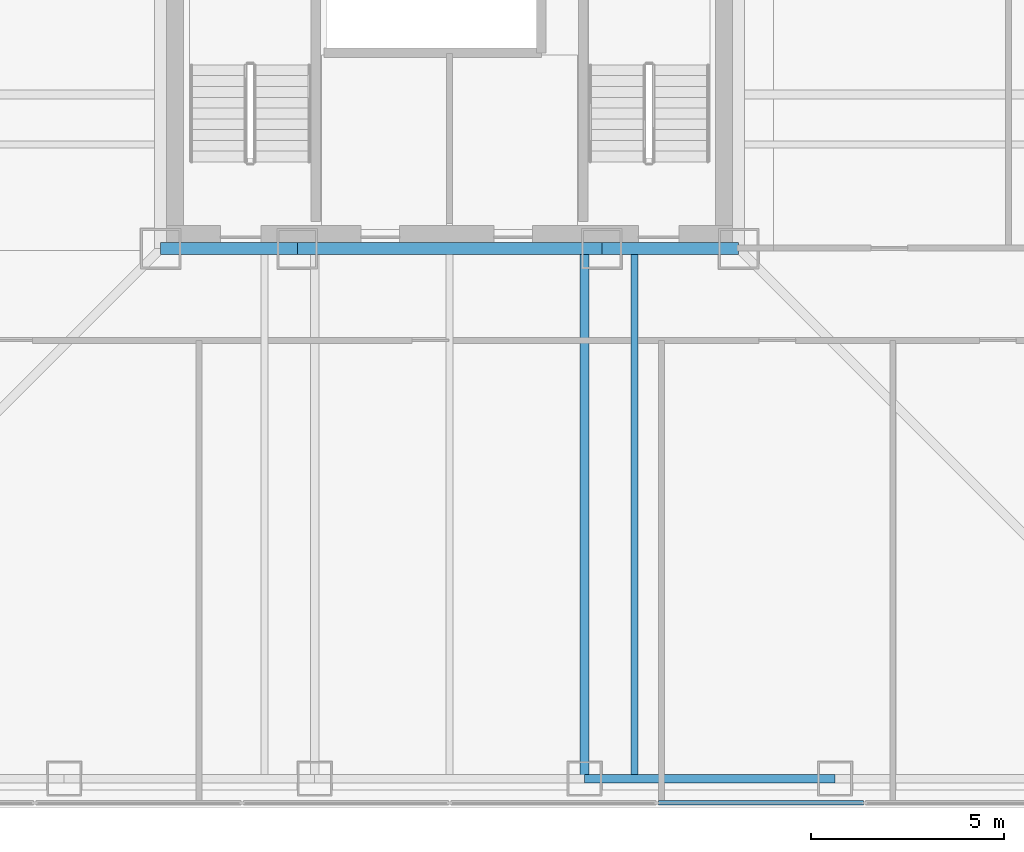
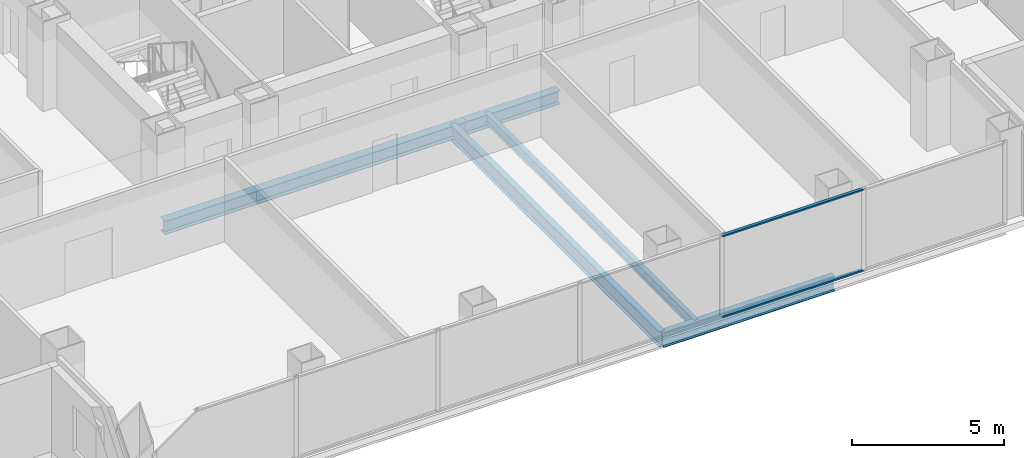
# One storey, part 3 of 14: 6 beams, 2 members, 1 element without a shape of its own.
"""IFC4 building model written with IfcOpenShell, lengths in metres."""

from ifc_helpers import new_model, si_unit, direction, frame, origin, origin_2d, place, context, subcontext, project, spatial, rectangle, i_section, extrude, material, layer, layer_set, material_profile, profile_set, type_object, element, aggregate, save


model = new_model("IFC4")

# Units and contexts
model_context = context("Model", 3, precision=1e-05, world=origin(), true_north=direction((0.0, 1.0)))
body_context = subcontext(model_context, "Body", "Model", "MODEL_VIEW")
ifc_project = project(units=[si_unit("LENGTHUNIT", "METRE"), si_unit("AREAUNIT", "SQUARE_METRE"), si_unit("VOLUMEUNIT", "CUBIC_METRE"), si_unit("PLANEANGLEUNIT", "RADIAN"), si_unit("MASSUNIT", "GRAM", prefix="KILO")], contexts=[model_context])

# Site, building, storey
site_placement = place(None, origin())
site = spatial("IfcSite", under=ifc_project, at=site_placement, CompositionType="ELEMENT")
building_placement = place(site_placement, origin())
building = spatial("IfcBuilding", under=site, at=building_placement, Name="Trevonay Congress Spire", CompositionType="ELEMENT")
storey_placement = place(building_placement, frame((0.0, 0.0, 119.199951171875)))
storey = spatial("IfcBuildingStorey", under=building, at=storey_placement, Name="L30", CompositionType="ELEMENT", Elevation=119.199951171875)

# Beams
ifc_material_1 = material(Name="Steel ASTM A572 Grade 50", Category="steel")
ifc_material_profile_1 = material_profile(ifc_material_1, i_section(OverallWidth=0.31201171875, OverallDepth=0.54296875, WebThickness=0.0126953125, FlangeThickness=0.020263671875, FilletRadius=0.014892578125, at=origin_2d()), Name="W530x150")
ifc_profile_set_1 = profile_set([ifc_material_profile_1], Name="Steel ASTM A572 Grade 50")
beam_type_1 = type_object("IfcBeamType", Name="BM-GIRD-W530X150", PredefinedType="BEAM", material=ifc_profile_set_1)
beam_1_placement = place(storey_placement, frame((-7.5, -7.5, -0.511474609375), z_axis=(1.0, 0.0, 0.0), x_axis=(0.0, 1.0, 0.0)))
element("IfcBeam", 1, at=beam_1_placement, inside=storey, type_object=beam_type_1, Name="L30 structural beam BM-L30-CR-S1", PredefinedType="BEAM", context=body_context, shape_type="SweptSolid", body=[
    extrude(i_section(OverallWidth=0.31201171875, OverallDepth=0.54296875, WebThickness=0.0126953125, FlangeThickness=0.020263671875, FilletRadius=0.014892578125, at=origin_2d()), origin(), (0.0, 0.0, 1.0), 3.550048828125),
])
beam_2_placement = place(storey_placement, frame((-3.949951171875, -7.5, -0.511474609375), z_axis=(1.0, 0.0, 0.0), x_axis=(0.0, 1.0, 0.0)))
element("IfcBeam", 2, at=beam_2_placement, inside=storey, type_object=beam_type_1, Name="L30 structural beam BM-L30-CR-S2", PredefinedType="BEAM", context=body_context, shape_type="SweptSolid", body=[
    extrude(i_section(OverallWidth=0.31201171875, OverallDepth=0.54296875, WebThickness=0.0126953125, FlangeThickness=0.020263671875, FilletRadius=0.014892578125, at=origin_2d()), origin(), (0.0, 0.0, 1.0), 7.89990234375),
])
beam_3_placement = place(storey_placement, frame((3.949951171875, -7.5, -0.511474609375), z_axis=(1.0, 0.0, 0.0), x_axis=(0.0, 1.0, 0.0)))
element("IfcBeam", 3, at=beam_3_placement, inside=storey, type_object=beam_type_1, Name="L30 structural beam BM-L30-CR-S3", PredefinedType="BEAM", context=body_context, shape_type="SweptSolid", body=[
    extrude(i_section(OverallWidth=0.31201171875, OverallDepth=0.54296875, WebThickness=0.0126953125, FlangeThickness=0.020263671875, FilletRadius=0.014892578125, at=origin_2d()), origin(), (0.0, 0.0, 1.0), 3.550048828125),
])
ifc_material_profile_2 = material_profile(ifc_material_1, i_section(OverallWidth=0.22998046875, OverallDepth=0.616943359375, WebThickness=0.01318359375, FlangeThickness=0.022216796875, FilletRadius=0.01611328125, at=origin_2d()), Name="W610x140")
ifc_profile_set_2 = profile_set([ifc_material_profile_2], Name="Steel ASTM A572 Grade 50")
beam_type_2 = type_object("IfcBeamType", Name="BM-GIRD-W610X140", PredefinedType="BEAM", material=ifc_profile_set_2)
beam_4_placement = place(storey_placement, frame((3.5, -7.5, -0.54833984375), z_axis=(0.0, -1.0, 0.0), x_axis=(1.0, 0.0, 0.0)))
element("IfcBeam", 4, at=beam_4_placement, inside=storey, type_object=beam_type_2, Name="L30 structural beam BM-L30-GS-P", PredefinedType="BEAM", context=body_context, shape_type="SweptSolid", body=[
    extrude(i_section(OverallWidth=0.22998046875, OverallDepth=0.616943359375, WebThickness=0.01318359375, FlangeThickness=0.022216796875, FilletRadius=0.01611328125, at=origin_2d()), origin(), (0.0, 0.0, 1.0), 13.75),
])
ifc_material_profile_3 = material_profile(ifc_material_1, i_section(OverallWidth=0.22802734375, OverallDepth=0.60791015625, WebThickness=0.01123046875, FlangeThickness=0.017333984375, FilletRadius=0.01611328125, at=origin_2d()), Name="W610x113")
ifc_profile_set_3 = profile_set([ifc_material_profile_3], Name="Steel ASTM A572 Grade 50")
beam_type_3 = type_object("IfcBeamType", Name="BM-RING-W610X113", PredefinedType="BEAM", material=ifc_profile_set_3)
beam_5_placement = place(storey_placement, frame((3.5, -21.25, -0.5439453125), z_axis=(1.0, 0.0, 0.0), x_axis=(0.0, 1.0, 0.0)))
element("IfcBeam", 5, at=beam_5_placement, inside=storey, type_object=beam_type_3, Name="L30 structural beam BM-L30-PS4", PredefinedType="BEAM", context=body_context, shape_type="SweptSolid", body=[
    extrude(i_section(OverallWidth=0.22802734375, OverallDepth=0.60791015625, WebThickness=0.01123046875, FlangeThickness=0.017333984375, FilletRadius=0.01611328125, at=origin_2d()), origin(), (0.0, 0.0, 1.0), 6.5),
])

# Curtain wall, members
ifc_material_2 = material(Name="Pale Anodised Aluminium EN AW-6063-T6", Category="aluminium")
ifc_layer = layer(ifc_material_2, 0.175048828125, Name="Pale Anodised Aluminium EN AW-6063-T6")
ifc_layer_set = layer_set([ifc_layer], Name="Pale Anodised Aluminium EN AW-6063-T6")
curtain_wall_type = type_object("IfcCurtainWallType", Name="CW-SYS03-CONGRESS-PALE-METAL", PredefinedType="NOTDEFINED", material=ifc_layer_set)
curtain_wall_placement = place(storey_placement, origin())
curtain_wall = element("IfcCurtainWall", 6, at=curtain_wall_placement, inside=storey, type_object=curtain_wall_type, Name="L30 S unitised curtain wall", PredefinedType="NOTDEFINED")
ifc_material_profile_4 = material_profile(ifc_material_2, rectangle(XDim=0.1201171875, YDim=0.06005859375, at=origin_2d()), Name="CW-TRANSOM-120-ALUMINIUM")
ifc_profile_set_4 = profile_set([ifc_material_profile_4], Name="Pale Anodised Aluminium EN AW-6063-T6")
member_type = type_object("IfcMemberType", Name="CW-TRANSOM-120-ALUMINIUM", PredefinedType="USERDEFINED", material=ifc_profile_set_4)
member_1_placement = place(storey_placement, frame((5.413330078125, -21.8798828125, 0.06005859375), z_axis=(1.0, 0.0, 0.0), x_axis=(0.0, 1.0, 0.0)))
member_1 = element("IfcMember", 7, at=member_1_placement, type_object=member_type, Name="CW03 transom 5.1", ObjectType="TRANSOM", PredefinedType="USERDEFINED", context=body_context, shape_type="SweptSolid", body=[
    extrude(rectangle(XDim=0.1201171875, YDim=0.06005859375, at=origin_2d()), origin(), (0.0, 0.0, 1.0), 5.3232421875),
])
member_2_placement = place(storey_placement, frame((5.413330078125, -21.8798828125, 3.300048828125), z_axis=(1.0, 0.0, 0.0), x_axis=(0.0, 1.0, 0.0)))
member_2 = element("IfcMember", 8, at=member_2_placement, type_object=member_type, Name="CW03 transom 5.2", ObjectType="TRANSOM", PredefinedType="USERDEFINED", context=body_context, shape_type="SweptSolid", body=[
    extrude(rectangle(XDim=0.1201171875, YDim=0.06005859375, at=origin_2d()), origin(), (0.0, 0.0, 1.0), 5.3232421875),
])
aggregate(curtain_wall, [member_1, member_2])

# Beam
ifc_material_profile_5 = material_profile(ifc_material_1, i_section(OverallWidth=0.177978515625, OverallDepth=0.406982421875, WebThickness=0.0078125, FlangeThickness=0.0126953125, FilletRadius=0.012939453125, at=origin_2d()), Name="W410x60")
ifc_profile_set_5 = profile_set([ifc_material_profile_5], Name="Steel ASTM A572 Grade 50")
beam_type_4 = type_object("IfcBeamType", Name="JS-COMP-W410X60", PredefinedType="JOIST", material=ifc_profile_set_5)
beam_6_placement = place(storey_placement, frame((4.800048828125, -21.25, -0.443359375), z_axis=(0.0, 1.0, 0.0), x_axis=(-1.0, 0.0, 0.0)))
element("IfcBeam", 9, at=beam_6_placement, inside=storey, type_object=beam_type_4, Name="L30 structural beam JS-L30-NS-S3", PredefinedType="JOIST", context=body_context, shape_type="SweptSolid", body=[
    extrude(i_section(OverallWidth=0.177978515625, OverallDepth=0.406982421875, WebThickness=0.0078125, FlangeThickness=0.0126953125, FilletRadius=0.012939453125, at=origin_2d()), origin(), (0.0, 0.0, 1.0), 13.75),
])

save(model, "model.ifc")
